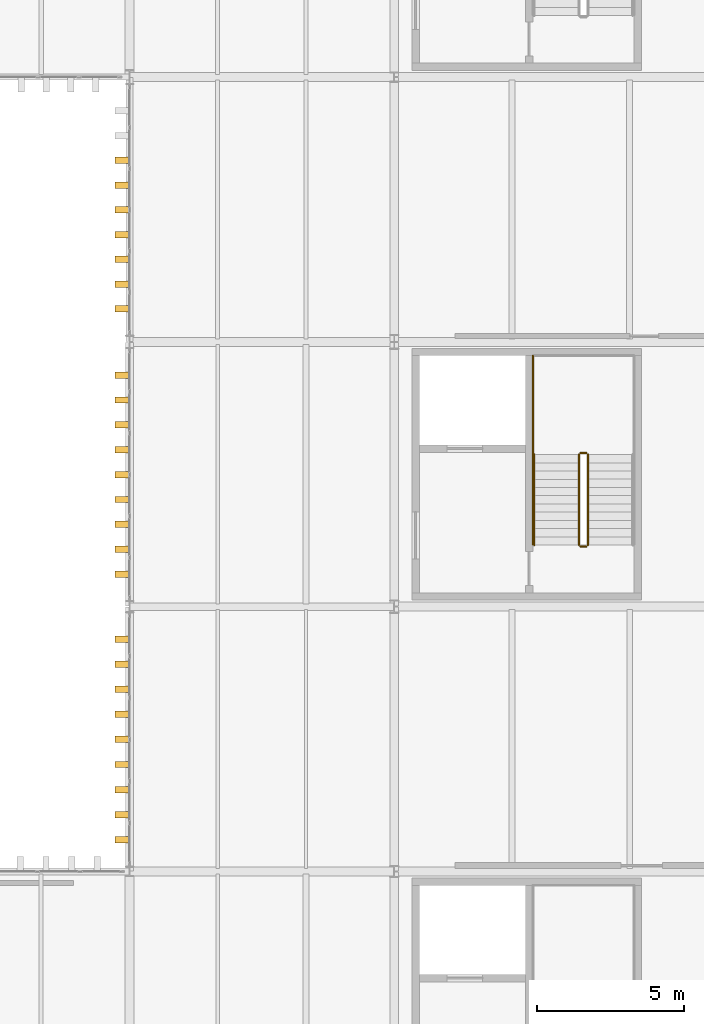
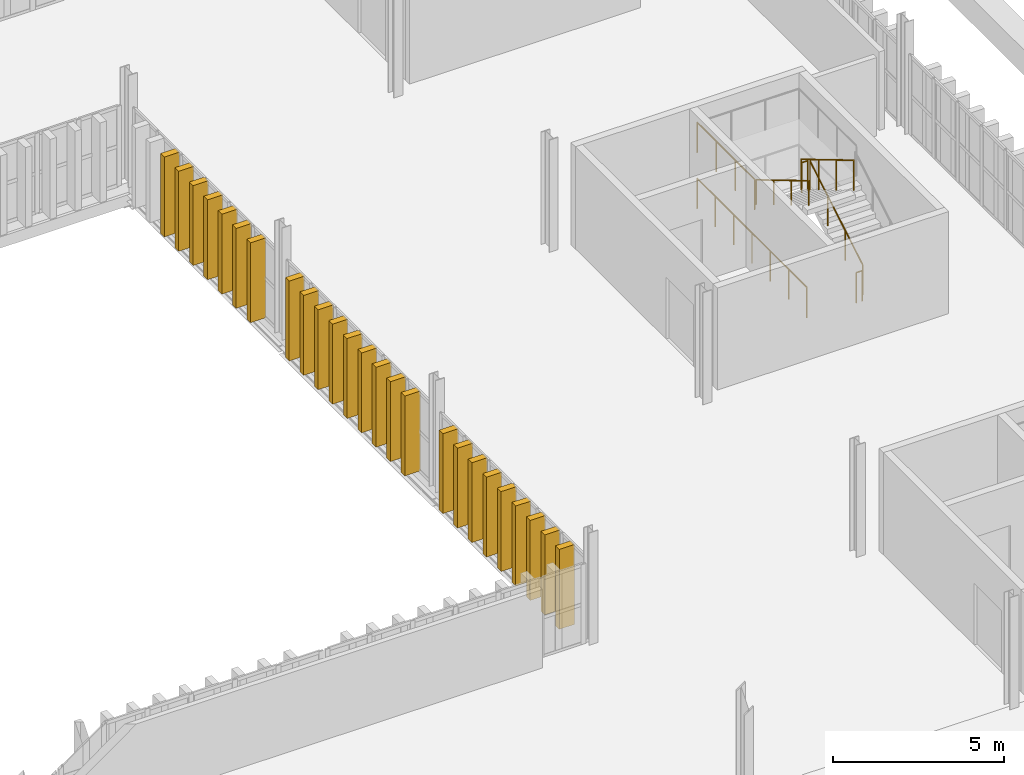
# One storey, part 100 of 102: 25 shading devices, 7 railings.
"""IFC4 building model written with IfcOpenShell, lengths in metres."""

from ifc_helpers import new_model, si_unit, direction, frame, origin, origin_2d, place, context, subcontext, project, spatial, rectangle, circle, extrude, material, type_object, element, save


model = new_model("IFC4")

# Units and contexts
model_context = context("Model", 3, precision=1e-05, world=origin(), true_north=direction((0.0, 1.0)))
body_context = subcontext(model_context, "Body", "Model", "MODEL_VIEW")
ifc_project = project(units=[si_unit("LENGTHUNIT", "METRE"), si_unit("AREAUNIT", "SQUARE_METRE"), si_unit("VOLUMEUNIT", "CUBIC_METRE"), si_unit("PLANEANGLEUNIT", "RADIAN"), si_unit("MASSUNIT", "GRAM", prefix="KILO")], contexts=[model_context])

# Site, building, storey
site_placement = place(None, origin())
site = spatial("IfcSite", under=ifc_project, at=site_placement, CompositionType="ELEMENT")
building_placement = place(site_placement, origin())
building = spatial("IfcBuilding", under=site, at=building_placement, Name="Barlavento Convention Centre", CompositionType="ELEMENT")
storey_placement = place(building_placement, frame((0.0, 0.0, 22.800048828125)))
storey = spatial("IfcBuildingStorey", under=building, at=storey_placement, Name="L04", CompositionType="ELEMENT", Elevation=22.800048828125)

# Railings
ifc_material_1 = material(Name="Stainless steel and laminated glass balustrade", Category="steel")
railing_type_1 = type_object("IfcRailingType", Name="ARC-RAL-BAL-1100", PredefinedType="BALUSTRADE", material=ifc_material_1)
railing_1_placement = place(storey_placement, frame((186.580078125, 74.090087890625, 0.16650390625)))
element("IfcRailing", 1, at=railing_1_placement, inside=storey, type_object=railing_type_1, Name="L04 ST07 stair guard 1", PredefinedType="BALUSTRADE", context=body_context, shape_type="SweptSolid", body=[
    extrude(circle(Radius=0.02392578125, at=origin_2d()), frame((0.0, 0.0, 1.076171875), z_axis=(0.0, 0.859260807169, 0.511537745687), x_axis=(-1.0, 0.0, 0.0)), (0.0, 0.0, 1.0), 3.584228515625),
    extrude(circle(Radius=0.02099609375, at=origin_2d()), origin(), (0.0, 0.0, 1.0), 1.052001953125),
    extrude(circle(Radius=0.02099609375, at=origin_2d()), frame((0.0, 1.026611328125, 0.611083984375)), (0.0, 0.0, 1.0), 1.052001953125),
    extrude(circle(Radius=0.02099609375, at=origin_2d()), frame((0.0, 2.05322265625, 1.222412109375)), (0.0, 0.0, 1.0), 1.052001953125),
    extrude(circle(Radius=0.02099609375, at=origin_2d()), frame((0.0, 3.079833984375, 1.83349609375)), (0.0, 0.0, 1.0), 1.052001953125),
])
railing_2_placement = place(storey_placement, frame((186.530029296875, 77.219970703125, 2.0)))
element("IfcRailing", 2, at=railing_2_placement, inside=storey, type_object=railing_type_1, Name="L04 ST07 stair guard 2", PredefinedType="BALUSTRADE", context=body_context, shape_type="SweptSolid", body=[
    extrude(circle(Radius=0.02392578125, at=origin_2d()), frame((0.0, 0.0, 1.076171875), z_axis=(-1.0, 0.0, 0.0), x_axis=(0.0, -1.0, 0.0)), (0.0, 0.0, 1.0), 0.199951171875),
    extrude(circle(Radius=0.02099609375, at=origin_2d()), origin(), (0.0, 0.0, 1.0), 1.052001953125),
    extrude(circle(Radius=0.02099609375, at=origin_2d()), frame((-0.199951171875, 0.0, 0.0)), (0.0, 0.0, 1.0), 1.052001953125),
])
railing_3_placement = place(storey_placement, frame((186.280029296875, 77.169921875, 2.16650390625)))
element("IfcRailing", 3, at=railing_3_placement, inside=storey, type_object=railing_type_1, Name="L04 ST07 stair guard 3", PredefinedType="BALUSTRADE", context=body_context, shape_type="SweptSolid", body=[
    extrude(circle(Radius=0.02392578125, at=origin_2d()), frame((0.0, 0.0, 1.076171875), z_axis=(0.0, -0.859260807169, 0.511537745687), x_axis=(1.0, 0.0, 0.0)), (0.0, 0.0, 1.0), 3.584228515625),
    extrude(circle(Radius=0.02099609375, at=origin_2d()), origin(), (0.0, 0.0, 1.0), 1.052001953125),
    extrude(circle(Radius=0.02099609375, at=origin_2d()), frame((0.0, -1.026611328125, 0.611083984375)), (0.0, 0.0, 1.0), 1.052001953125),
    extrude(circle(Radius=0.02099609375, at=origin_2d()), frame((0.0, -2.05322265625, 1.222412109375)), (0.0, 0.0, 1.0), 1.052001953125),
    extrude(circle(Radius=0.02099609375, at=origin_2d()), frame((0.0, -3.079833984375, 1.83349609375)), (0.0, 0.0, 1.0), 1.052001953125),
])
railing_4_placement = place(storey_placement, frame((186.530029296875, 74.0400390625, 0.0)))
element("IfcRailing", 4, at=railing_4_placement, inside=storey, type_object=railing_type_1, Name="L04 ST07 stair guard 4", PredefinedType="BALUSTRADE", context=body_context, shape_type="SweptSolid", body=[
    extrude(circle(Radius=0.02392578125, at=origin_2d()), frame((0.0, 0.0, 1.076171875), z_axis=(-1.0, 0.0, 0.0), x_axis=(0.0, -1.0, 0.0)), (0.0, 0.0, 1.0), 0.199951171875),
    extrude(circle(Radius=0.02099609375, at=origin_2d()), origin(), (0.0, 0.0, 1.0), 1.052001953125),
    extrude(circle(Radius=0.02099609375, at=origin_2d()), frame((-0.199951171875, 0.0, 0.0)), (0.0, 0.0, 1.0), 1.052001953125),
])
railing_5_placement = place(storey_placement, frame((184.7099609375, 77.169921875, 2.0)))
element("IfcRailing", 5, at=railing_5_placement, inside=storey, type_object=railing_type_1, Name="L04 landing guard GR01", PredefinedType="BALUSTRADE", context=body_context, shape_type="SweptSolid", body=[
    extrude(circle(Radius=0.02392578125, at=origin_2d()), frame((0.0, 0.0, 1.076171875), z_axis=(0.0, 1.0, 0.0), x_axis=(-1.0, 0.0, 0.0)), (0.0, 0.0, 1.0), 3.360107421875),
    extrude(circle(Radius=0.02099609375, at=origin_2d()), origin(), (0.0, 0.0, 1.0), 1.052001953125),
    extrude(circle(Radius=0.02099609375, at=origin_2d()), frame((0.0, 1.1201171875, 0.0)), (0.0, 0.0, 1.0), 1.052001953125),
    extrude(circle(Radius=0.02099609375, at=origin_2d()), frame((0.0, 2.239990234375, 0.0)), (0.0, 0.0, 1.0), 1.052001953125),
    extrude(circle(Radius=0.02099609375, at=origin_2d()), frame((0.0, 3.360107421875, 0.0)), (0.0, 0.0, 1.0), 1.052001953125),
])
railing_6_placement = place(storey_placement, frame((184.7099609375, 80.530029296875, 0.0)))
element("IfcRailing", 6, at=railing_6_placement, inside=storey, type_object=railing_type_1, Name="L04 stairwell perimeter guard GR01", PredefinedType="BALUSTRADE", context=body_context, shape_type="SweptSolid", body=[
    extrude(circle(Radius=0.02392578125, at=origin_2d()), frame((0.0, 0.0, 1.076171875), z_axis=(0.0, -1.0, 0.0), x_axis=(1.0, 0.0, 0.0)), (0.0, 0.0, 1.0), 6.4150390625),
    extrude(circle(Radius=0.02099609375, at=origin_2d()), origin(), (0.0, 0.0, 1.0), 1.052001953125),
    extrude(circle(Radius=0.02099609375, at=origin_2d()), frame((0.0, -1.069091796875, 0.0)), (0.0, 0.0, 1.0), 1.052001953125),
    extrude(circle(Radius=0.02099609375, at=origin_2d()), frame((0.0, -2.138427734375, 0.0)), (0.0, 0.0, 1.0), 1.052001953125),
    extrude(circle(Radius=0.02099609375, at=origin_2d()), frame((0.0, -3.20751953125, 0.0)), (0.0, 0.0, 1.0), 1.052001953125),
    extrude(circle(Radius=0.02099609375, at=origin_2d()), frame((0.0, -4.276611328125, 0.0)), (0.0, 0.0, 1.0), 1.052001953125),
    extrude(circle(Radius=0.02099609375, at=origin_2d()), frame((0.0, -5.345947265625, 0.0)), (0.0, 0.0, 1.0), 1.052001953125),
    extrude(circle(Radius=0.02099609375, at=origin_2d()), frame((0.0, -6.4150390625, 0.0)), (0.0, 0.0, 1.0), 1.052001953125),
])
ifc_material_2 = material(Name="Brushed stainless steel tubular handrail", Category="steel")
railing_type_2 = type_object("IfcRailingType", Name="ARC-RAL-HR-900", PredefinedType="HANDRAIL", material=ifc_material_2)
railing_7_placement = place(storey_placement, frame((184.760009765625, 77.169921875, 2.16650390625)))
element("IfcRailing", 7, at=railing_7_placement, inside=storey, type_object=railing_type_2, Name="L04 ST07 stair handrail 2", PredefinedType="HANDRAIL", context=body_context, shape_type="SweptSolid", body=[
    extrude(circle(Radius=0.02392578125, at=origin_2d()), frame((0.0, 0.0, 0.8759765625), z_axis=(0.0, -0.859260807169, 0.511537745687), x_axis=(1.0, 0.0, 0.0)), (0.0, 0.0, 1.0), 3.584228515625),
    extrude(circle(Radius=0.02099609375, at=origin_2d()), origin(), (0.0, 0.0, 1.0), 0.851806640625),
    extrude(circle(Radius=0.02099609375, at=origin_2d()), frame((0.0, -1.026611328125, 0.611083984375)), (0.0, 0.0, 1.0), 0.851806640625),
    extrude(circle(Radius=0.02099609375, at=origin_2d()), frame((0.0, -2.05322265625, 1.222412109375)), (0.0, 0.0, 1.0), 0.851806640625),
    extrude(circle(Radius=0.02099609375, at=origin_2d()), frame((0.0, -3.079833984375, 1.83349609375)), (0.0, 0.0, 1.0), 0.851806640625),
])

# Shading devices
ifc_material_3 = material(Name="PVDF white extruded aluminium", Category="aluminium")
shading_device_type = type_object("IfcShadingDeviceType", Name="ARC-SHD-FIN-480", PredefinedType="USERDEFINED", material=ifc_material_3)
for number, where, z_axis, x_axis, name in (
    (8, (170.760009765625, 64.0810546875, 0.0), (0.0, 0.0, 1.0), (0.0, 1.0, 0.0), "White vertical solar shading fin VF01"),
    (9, (170.760009765625, 64.931884765625, 0.0), (0.0, 0.0, 1.0), (0.0, 1.0, 0.0), "White vertical solar shading fin VF01"),
    (10, (170.760009765625, 65.782958984375, 0.0), (0.0, 0.0, 1.0), (0.0, 1.0, 0.0), "White vertical solar shading fin VF01"),
    (11, (170.760009765625, 66.634033203125, 0.0), (0.0, 0.0, 1.0), (0.0, 1.0, 0.0), "White vertical solar shading fin VF01"),
    (12, (170.760009765625, 67.485107421875, 0.0), (0.0, 0.0, 1.0), (0.0, 1.0, 0.0), "White vertical solar shading fin VF01"),
    (13, (170.760009765625, 68.3359375, 0.0), (0.0, 0.0, 1.0), (0.0, 1.0, 0.0), "White vertical solar shading fin VF01"),
    (14, (170.760009765625, 69.18701171875, 0.0), (0.0, 0.0, 1.0), (0.0, 1.0, 0.0), "White vertical solar shading fin VF01"),
    (15, (170.760009765625, 70.0380859375, 0.0), (0.0, 0.0, 1.0), (0.0, 1.0, 0.0), "White vertical solar shading fin VF01"),
    (16, (170.760009765625, 70.888916015625, 0.0), (0.0, 0.0, 1.0), (0.0, 1.0, 0.0), "White vertical solar shading fin VF01"),
    (17, (170.760009765625, 73.10546875, 0.0), (0.0, 0.0, 1.0), (0.0, 1.0, 0.0), "White vertical solar shading fin VF01"),
    (18, (170.760009765625, 73.950927734375, 0.0), (0.0, 0.0, 1.0), (0.0, 1.0, 0.0), "White vertical solar shading fin VF01"),
    (19, (170.760009765625, 74.79638671875, 0.0), (0.0, 0.0, 1.0), (0.0, 1.0, 0.0), "White vertical solar shading fin VF01"),
    (20, (170.760009765625, 75.64208984375, 0.0), (0.0, 0.0, 1.0), (0.0, 1.0, 0.0), "White vertical solar shading fin VF01"),
    (21, (170.760009765625, 76.487548828125, 0.0), (0.0, 0.0, 1.0), (0.0, 1.0, 0.0), "White vertical solar shading fin VF01"),
    (22, (170.760009765625, 77.3330078125, 0.0), (0.0, 0.0, 1.0), (0.0, 1.0, 0.0), "White vertical solar shading fin VF01"),
    (23, (170.760009765625, 78.178466796875, 0.0), (0.0, 0.0, 1.0), (0.0, 1.0, 0.0), "White vertical solar shading fin VF01"),
    (24, (170.760009765625, 79.02392578125, 0.0), (0.0, 0.0, 1.0), (0.0, 1.0, 0.0), "White vertical solar shading fin VF01"),
    (25, (170.760009765625, 79.869384765625, 0.0), (0.0, 0.0, 1.0), (0.0, 1.0, 0.0), "White vertical solar shading fin VF01"),
    (26, (170.760009765625, 82.12548828125, 0.0), (0.0, 0.0, 1.0), (0.0, 1.0, 0.0), "White vertical solar shading fin VF01"),
    (27, (170.760009765625, 82.966064453125, 0.0), (0.0, 0.0, 1.0), (0.0, 1.0, 0.0), "White vertical solar shading fin VF01"),
    (28, (170.760009765625, 83.806396484375, 0.0), (0.0, 0.0, 1.0), (0.0, 1.0, 0.0), "White vertical solar shading fin VF01"),
    (29, (170.760009765625, 84.64697265625, 0.0), (0.0, 0.0, 1.0), (0.0, 1.0, 0.0), "White vertical solar shading fin VF01"),
    (30, (170.760009765625, 85.487548828125, 0.0), (0.0, 0.0, 1.0), (0.0, 1.0, 0.0), "White vertical solar shading fin VF01"),
    (31, (170.760009765625, 86.327880859375, 0.0), (0.0, 0.0, 1.0), (0.0, 1.0, 0.0), "White vertical solar shading fin VF01"),
    (32, (170.760009765625, 87.16845703125, 0.0), (0.0, 0.0, 1.0), (0.0, 1.0, 0.0), "White vertical solar shading fin VF01"),
):
    element("IfcShadingDevice", number, at=place(storey_placement, frame(where, z_axis=z_axis, x_axis=x_axis)), inside=storey, type_object=shading_device_type, Name=name, ObjectType="FIN", PredefinedType="USERDEFINED", context=body_context, shape_type="SweptSolid", body=[
        extrude(rectangle(XDim=0.219970703125, YDim=0.52001953125, at=origin_2d()), origin(), (0.0, 0.0, 1.0), 2.85009765625),
    ])

save(model, "model.ifc")
